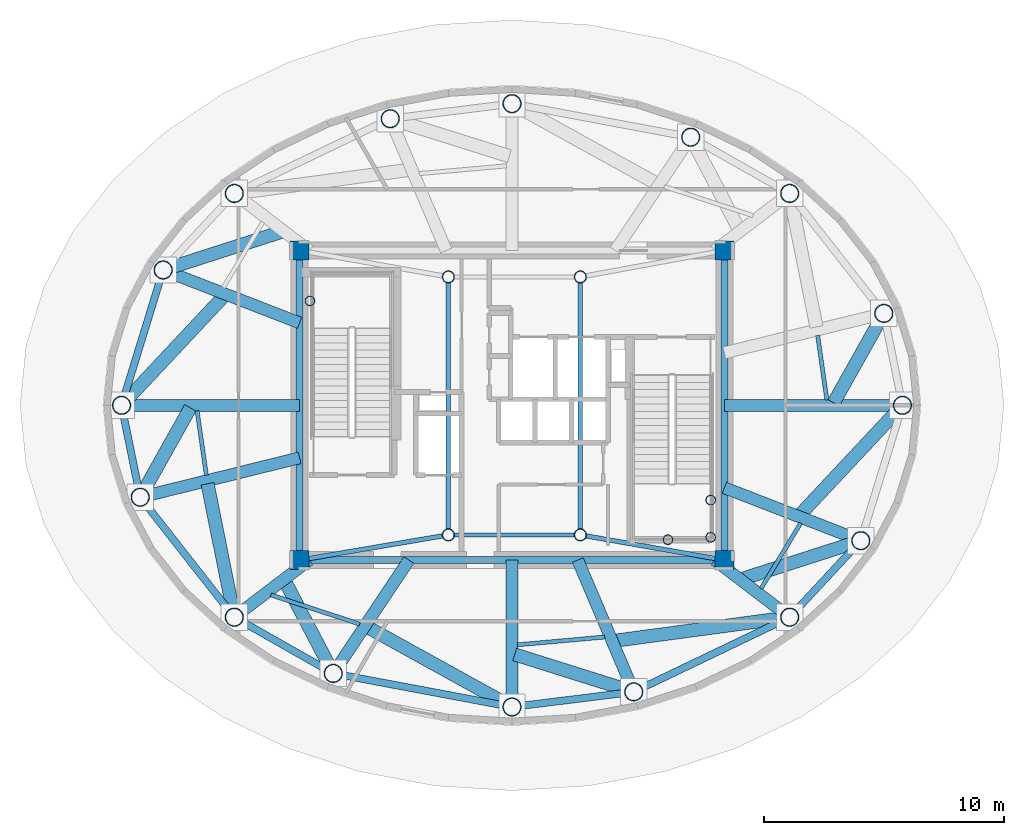
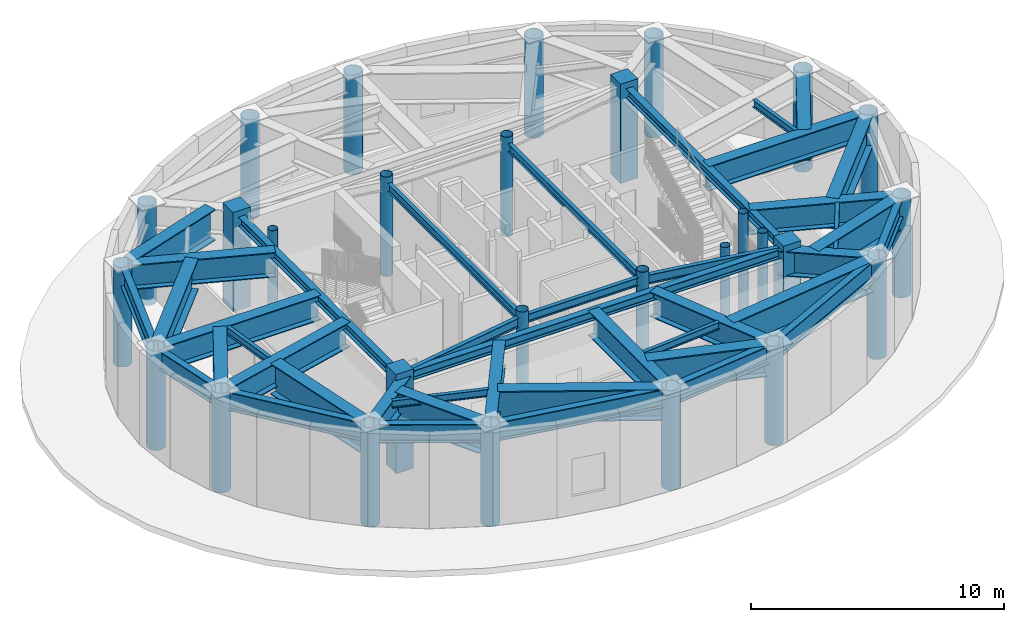
# One storey, part 1 of 11: 42 beams, 28 columns.
"""IFC4 building model written with IfcOpenShell, lengths in metres."""

from ifc_helpers import new_model, si_unit, direction, frame, origin, origin_2d, place, context, subcontext, project, spatial, rectangle, hollow_circle, i_section, extrude, material, material_profile, profile_set, type_object, element, save


model = new_model("IFC4")

# Units and contexts
model_context = context("Model", 3, precision=1e-05, world=origin(), true_north=direction((0.0, 1.0)))
body_context = subcontext(model_context, "Body", "Model", "MODEL_VIEW")
ifc_project = project(units=[si_unit("LENGTHUNIT", "METRE"), si_unit("AREAUNIT", "SQUARE_METRE"), si_unit("VOLUMEUNIT", "CUBIC_METRE"), si_unit("PLANEANGLEUNIT", "RADIAN"), si_unit("MASSUNIT", "GRAM", prefix="KILO")], contexts=[model_context])

# Site, building, storey
site_placement = place(None, origin())
site = spatial("IfcSite", under=ifc_project, at=site_placement, CompositionType="ELEMENT")
building_placement = place(site_placement, origin())
building = spatial("IfcBuilding", under=site, at=building_placement, Name="Linh Dai School and Residence Tower", CompositionType="ELEMENT")
storey_placement = place(building_placement, frame((0.0, 0.0, 363.60009765625)))
storey = spatial("IfcBuildingStorey", under=building, at=storey_placement, Name="L90", CompositionType="ELEMENT", Elevation=363.60009765625)

# Columns
ifc_material_1 = material(Name="Concrete B45 (C35/45)", Category="concrete")
ifc_material_profile_1 = material_profile(ifc_material_1, rectangle(XDim=0.800048828125, YDim=0.800048828125, at=origin_2d()), Name="RC 800x800")
ifc_profile_set_1 = profile_set([ifc_material_profile_1], Name="Concrete B45 (C35/45)")
column_type_1 = type_object("IfcColumnType", Name="COL-CC5", PredefinedType="COLUMN", material=ifc_profile_set_1)
for number, where, z_axis, x_axis, name in (
    (1, (27.14990234375, 20.550048828125, 0.0), (0.0, 0.0, 1.0), (1.0, 0.0, 0.0), "L90 Core Corner Pier CC1"),
    (2, (44.85009765625, 20.550048828125, 0.0), (0.0, 0.0, 1.0), (1.0, 0.0, 0.0), "L90 Core Corner Pier CC2"),
    (3, (44.85009765625, 33.449951171875, 0.0), (0.0, 0.0, 1.0), (1.0, 0.0, 0.0), "L90 Core Corner Pier CC3"),
    (4, (27.14990234375, 33.449951171875, 0.0), (0.0, 0.0, 1.0), (1.0, 0.0, 0.0), "L90 Core Corner Pier CC4"),
):
    element("IfcColumn", number, at=place(storey_placement, frame(where, z_axis=z_axis, x_axis=x_axis)), inside=storey, type_object=column_type_1, Name=name, PredefinedType="COLUMN", context=body_context, shape_type="SweptSolid", body=[
        extrude(rectangle(XDim=0.800048828125, YDim=0.800048828125, at=origin_2d()), origin(), (0.0, 0.0, 1.0), 4.7998046875),
    ])
ifc_material_2 = material(Name="Structural Steel S355JR", Category="steel")
ifc_material_profile_2 = material_profile(ifc_material_2, hollow_circle(Radius=0.203125, WallThickness=0.01611328125, at=origin_2d()), Name="CHS 406.4x16")
ifc_profile_set_2 = profile_set([ifc_material_profile_2], Name="Structural Steel S355JR")
column_type_2 = type_object("IfcColumnType", Name="COL-EC", PredefinedType="COLUMN", material=ifc_profile_set_2)
for number, where, z_axis, x_axis, name in (
    (5, (27.580078125, 31.35009765625, 0.0), (0.0, 0.0, 1.0), (1.0, 0.0, 0.0), "L90 Stair Shaft Landing Support Pier ST1NW"),
    (6, (44.280029296875, 21.5, 0.0), (0.0, 0.0, 1.0), (1.0, 0.0, 0.0), "L90 Stair Shaft Landing Support Pier ST2SE"),
    (7, (44.280029296875, 23.050048828125, 0.0), (0.0, 0.0, 1.0), (1.0, 0.0, 0.0), "L90 Stair Shaft Landing Support Pier ST2NE"),
    (8, (42.5, 21.39990234375, 0.0), (0.0, 0.0, 1.0), (1.0, 0.0, 0.0), "L90 Stair Shaft Landing Support Pier ST2MS"),
):
    element("IfcColumn", number, at=place(storey_placement, frame(where, z_axis=z_axis, x_axis=x_axis)), inside=storey, type_object=column_type_2, Name=name, PredefinedType="COLUMN", context=body_context, shape_type="SweptSolid", body=[
        extrude(hollow_circle(Radius=0.203125, WallThickness=0.01611328125, at=origin_2d()), origin(), (0.0, 0.0, 1.0), 4.7998046875),
    ])
ifc_material_profile_3 = material_profile(ifc_material_2, hollow_circle(Radius=0.381103515625, WallThickness=0.02490234375, at=origin_2d()), Name="CHS 762x25")
ifc_profile_set_3 = profile_set([ifc_material_profile_3], Name="Structural Steel S355JR")
column_type_3 = type_object("IfcColumnType", Name="COL-MC8", PredefinedType="COLUMN", material=ifc_profile_set_3)
for number, where, z_axis, x_axis, name in (
    (9, (52.26904296875, 27.0, -0.300048828125), (0.0, 0.0, 1.0), (1.0, 0.0, 0.0), "L90 Perimeter CFT Mega-Column MC01"),
    (10, (51.492919921875, 30.82958984375, -0.300048828125), (0.0, 0.0, 1.0), (1.0, 0.0, 0.0), "L90 Perimeter CFT Mega-Column MC02"),
    (11, (47.5703125, 35.828857421875, -0.300048828125), (0.0, 0.0, 1.0), (1.0, 0.0, 0.0), "L90 Perimeter CFT Mega-Column MC03"),
    (12, (43.447265625, 38.17138671875, -0.300048828125), (0.0, 0.0, 1.0), (1.0, 0.0, 0.0), "L90 Perimeter CFT Mega-Column MC04"),
    (13, (36.0, 39.569091796875, -0.300048828125), (0.0, 0.0, 1.0), (1.0, 0.0, 0.0), "L90 Perimeter CFT Mega-Column MC05"),
    (14, (30.9267578125, 38.940673828125, -0.300048828125), (0.0, 0.0, 1.0), (1.0, 0.0, 0.0), "L90 Perimeter CFT Mega-Column MC06"),
    (15, (24.4296875, 35.828857421875, -0.300048828125), (0.0, 0.0, 1.0), (1.0, 0.0, 0.0), "L90 Perimeter CFT Mega-Column MC07"),
    (16, (21.46533203125, 32.63916015625, -0.300048828125), (0.0, 0.0, 1.0), (1.0, 0.0, 0.0), "L90 Perimeter CFT Mega-Column MC08"),
    (17, (19.73095703125, 27.0, -0.300048828125), (0.0, 0.0, 1.0), (1.0, 0.0, 0.0), "L90 Perimeter CFT Mega-Column MC09"),
    (18, (20.507080078125, 23.17041015625, -0.300048828125), (0.0, 0.0, 1.0), (1.0, 0.0, 0.0), "L90 Perimeter CFT Mega-Column MC10"),
    (19, (24.4296875, 18.171142578125, -0.300048828125), (0.0, 0.0, 1.0), (1.0, 0.0, 0.0), "L90 Perimeter CFT Mega-Column MC11"),
    (20, (28.552734375, 15.82861328125, -0.300048828125), (0.0, 0.0, 1.0), (1.0, 0.0, 0.0), "L90 Perimeter CFT Mega-Column MC12"),
    (21, (36.0, 14.430908203125, -0.300048828125), (0.0, 0.0, 1.0), (1.0, 0.0, 0.0), "L90 Perimeter CFT Mega-Column MC13"),
    (22, (41.0732421875, 15.059326171875, -0.300048828125), (0.0, 0.0, 1.0), (1.0, 0.0, 0.0), "L90 Perimeter CFT Mega-Column MC14"),
    (23, (47.5703125, 18.171142578125, -0.300048828125), (0.0, 0.0, 1.0), (1.0, 0.0, 0.0), "L90 Perimeter CFT Mega-Column MC15"),
    (24, (50.53466796875, 21.36083984375, -0.300048828125), (0.0, 0.0, 1.0), (1.0, 0.0, 0.0), "L90 Perimeter CFT Mega-Column MC16"),
):
    element("IfcColumn", number, at=place(storey_placement, frame(where, z_axis=z_axis, x_axis=x_axis)), inside=storey, type_object=column_type_3, Name=name, PredefinedType="COLUMN", context=body_context, shape_type="SweptSolid", body=[
        extrude(hollow_circle(Radius=0.381103515625, WallThickness=0.02490234375, at=origin_2d()), origin(), (0.0, 0.0, 1.0), 4.800048828125),
    ])
ifc_material_profile_4 = material_profile(ifc_material_2, hollow_circle(Radius=0.25390625, WallThickness=0.02001953125, at=origin_2d()), Name="CHS 508x20")
ifc_profile_set_4 = profile_set([ifc_material_profile_4], Name="Structural Steel S355JR")
column_type_4 = type_object("IfcColumnType", Name="COL-MCP", PredefinedType="COLUMN", material=ifc_profile_set_4)
for number, where, z_axis, x_axis, name in (
    (25, (33.35009765625, 21.60009765625, 0.0), (0.0, 0.0, 1.0), (1.0, 0.0, 0.0), "L90 Core Mast Support Pier MCP1"),
    (26, (38.85009765625, 21.60009765625, 0.0), (0.0, 0.0, 1.0), (1.0, 0.0, 0.0), "L90 Core Mast Support Pier MCP2"),
    (27, (38.85009765625, 32.35009765625, 0.0), (0.0, 0.0, 1.0), (1.0, 0.0, 0.0), "L90 Core Mast Support Pier MCP3"),
    (28, (33.35009765625, 32.35009765625, 0.0), (0.0, 0.0, 1.0), (1.0, 0.0, 0.0), "L90 Core Mast Support Pier MCP4"),
):
    element("IfcColumn", number, at=place(storey_placement, frame(where, z_axis=z_axis, x_axis=x_axis)), inside=storey, type_object=column_type_4, Name=name, PredefinedType="COLUMN", context=body_context, shape_type="SweptSolid", body=[
        extrude(hollow_circle(Radius=0.25390625, WallThickness=0.02001953125, at=origin_2d()), origin(), (0.0, 0.0, 1.0), 4.7998046875),
    ])

# Beams
ifc_material_profile_5 = material_profile(ifc_material_2, i_section(OverallWidth=0.300048828125, OverallDepth=0.449951171875, WebThickness=0.013916015625, FlangeThickness=0.02587890625, FilletRadius=0.027099609375, at=origin_2d()), Name="HEB 450")
ifc_profile_set_5 = profile_set([ifc_material_profile_5], Name="Structural Steel S355JR")
beam_type_1 = type_object("IfcBeamType", Name="BM-RG45", PredefinedType="BEAM", material=ifc_profile_set_5)
beam_1_placement = place(storey_placement, frame((27.52001953125, 20.550048828125, 4.27490234375), z_axis=(1.0, 0.0, 0.0), x_axis=(0.0, 1.0, 0.0)))
element("IfcBeam", 29, at=beam_1_placement, inside=storey, type_object=beam_type_1, Name="L90 Core Perimeter Coupling Girder 1", PredefinedType="BEAM", context=body_context, shape_type="SweptSolid", body=[
    extrude(i_section(OverallWidth=0.300048828125, OverallDepth=0.449951171875, WebThickness=0.013916015625, FlangeThickness=0.02587890625, FilletRadius=0.027099609375, at=origin_2d()), origin(), (0.0, 0.0, 1.0), 16.9599609375),
])
for number, where, z_axis, x_axis, name in (
    (30, (44.85009765625, 20.919921875, 4.27490234375), (0.0, 1.0, 0.0), (-1.0, 0.0, 0.0), "L90 Core Perimeter Coupling Girder 2"),
    (31, (27.14990234375, 33.080078125, 4.27490234375), (0.0, -1.0, 0.0), (1.0, 0.0, 0.0), "L90 Core Perimeter Coupling Girder 4"),
):
    element("IfcBeam", number, at=place(storey_placement, frame(where, z_axis=z_axis, x_axis=x_axis)), inside=storey, type_object=beam_type_1, Name=name, PredefinedType="BEAM", context=body_context, shape_type="SweptSolid", body=[
        extrude(i_section(OverallWidth=0.300048828125, OverallDepth=0.449951171875, WebThickness=0.013916015625, FlangeThickness=0.02587890625, FilletRadius=0.027099609375, at=origin_2d()), origin(), (0.0, 0.0, 1.0), 12.16015625),
    ])
ifc_material_profile_6 = material_profile(ifc_material_2, i_section(OverallWidth=0.300048828125, OverallDepth=0.89990234375, WebThickness=0.0185546875, FlangeThickness=0.034912109375, FilletRadius=0.030029296875, at=origin_2d()), Name="HEB 900")
ifc_profile_set_6 = profile_set([ifc_material_profile_6], Name="Structural Steel S355JR")
beam_type_2 = type_object("IfcBeamType", Name="BM-RG9", PredefinedType="BEAM", material=ifc_profile_set_6)
beam_2_placement = place(storey_placement, frame((21.3623046875, 32.3037109375, 4.0498046875), z_axis=(-0.293976930381, -0.9558125153, 0.0), x_axis=(0.9558125153, -0.293976930381, 0.0)))
element("IfcBeam", 32, at=beam_2_placement, inside=storey, type_object=beam_type_2, Name="L90 Perimeter Elliptical Ring Beam 08", PredefinedType="BEAM", context=body_context, shape_type="SweptSolid", body=[
    extrude(i_section(OverallWidth=0.300048828125, OverallDepth=0.89990234375, WebThickness=0.0185546875, FlangeThickness=0.034912109375, FilletRadius=0.030029296875, at=origin_2d()), origin(), (0.0, 0.0, 1.0), 5.197998046875),
])
beam_3_placement = place(storey_placement, frame((19.80078125, 26.656005859375, 4.0498046875), z_axis=(0.198634746425, -0.980073587805, 0.0), x_axis=(0.980073587805, 0.198634746425, 0.0)))
element("IfcBeam", 33, at=beam_3_placement, inside=storey, type_object=beam_type_2, Name="L90 Perimeter Elliptical Ring Beam 09", PredefinedType="BEAM", context=body_context, shape_type="SweptSolid", body=[
    extrude(i_section(OverallWidth=0.300048828125, OverallDepth=0.89990234375, WebThickness=0.0185546875, FlangeThickness=0.034912109375, FilletRadius=0.030029296875, at=origin_2d()), origin(), (0.0, 0.0, 1.0), 3.20556640625),
])
beam_4_placement = place(storey_placement, frame((20.723876953125, 22.894287109375, 4.0498046875), z_axis=(0.617266297367, -0.786754293369, 0.0), x_axis=(0.786754293369, 0.617266297367, 0.0)))
element("IfcBeam", 34, at=beam_4_placement, inside=storey, type_object=beam_type_2, Name="L90 Perimeter Elliptical Ring Beam 10", PredefinedType="BEAM", context=body_context, shape_type="SweptSolid", body=[
    extrude(i_section(OverallWidth=0.300048828125, OverallDepth=0.89990234375, WebThickness=0.0185546875, FlangeThickness=0.034912109375, FilletRadius=0.030029296875, at=origin_2d()), origin(), (0.0, 0.0, 1.0), 5.65234375),
])
beam_5_placement = place(storey_placement, frame((24.73486328125, 17.997802734375, 4.0498046875), z_axis=(0.869456557393, -0.49400940761, 0.0), x_axis=(0.49400940761, 0.869456557393, 0.0)))
element("IfcBeam", 35, at=beam_5_placement, inside=storey, type_object=beam_type_2, Name="L90 Perimeter Elliptical Ring Beam 11", PredefinedType="BEAM", context=body_context, shape_type="SweptSolid", body=[
    extrude(i_section(OverallWidth=0.300048828125, OverallDepth=0.89990234375, WebThickness=0.0185546875, FlangeThickness=0.034912109375, FilletRadius=0.030029296875, at=origin_2d()), origin(), (0.0, 0.0, 1.0), 4.0400390625),
])
beam_6_placement = place(storey_placement, frame((28.897705078125, 15.763916015625, 4.0498046875), z_axis=(0.982844035526, -0.184438612635, 0.0), x_axis=(0.184438612635, 0.982844035526, 0.0)))
element("IfcBeam", 36, at=beam_6_placement, inside=storey, type_object=beam_type_2, Name="L90 Perimeter Elliptical Ring Beam 12", PredefinedType="BEAM", context=body_context, shape_type="SweptSolid", body=[
    extrude(i_section(OverallWidth=0.300048828125, OverallDepth=0.89990234375, WebThickness=0.0185546875, FlangeThickness=0.034912109375, FilletRadius=0.030029296875, at=origin_2d()), origin(), (0.0, 0.0, 1.0), 6.875244140625),
])
beam_7_placement = place(storey_placement, frame((36.348388671875, 14.47412109375, 4.0498046875), z_axis=(0.992411863952, 0.12295809159, 0.0), x_axis=(-0.12295809159, 0.992411863952, 0.0)))
element("IfcBeam", 37, at=beam_7_placement, inside=storey, type_object=beam_type_2, Name="L90 Perimeter Elliptical Ring Beam 13", PredefinedType="BEAM", context=body_context, shape_type="SweptSolid", body=[
    extrude(i_section(OverallWidth=0.300048828125, OverallDepth=0.89990234375, WebThickness=0.0185546875, FlangeThickness=0.034912109375, FilletRadius=0.030029296875, at=origin_2d()), origin(), (0.0, 0.0, 1.0), 4.409912109375),
])
beam_8_placement = place(storey_placement, frame((41.3896484375, 15.2109375, 4.0498046875), z_axis=(0.901897708522, 0.431949676887, 0.0), x_axis=(-0.431949676887, 0.901897708522, 0.0)))
element("IfcBeam", 38, at=beam_8_placement, inside=storey, type_object=beam_type_2, Name="L90 Perimeter Elliptical Ring Beam 14", PredefinedType="BEAM", context=body_context, shape_type="SweptSolid", body=[
    extrude(i_section(OverallWidth=0.300048828125, OverallDepth=0.89990234375, WebThickness=0.0185546875, FlangeThickness=0.034912109375, FilletRadius=0.030029296875, at=origin_2d()), origin(), (0.0, 0.0, 1.0), 6.502197265625),
])
beam_9_placement = place(storey_placement, frame((47.809326171875, 18.42822265625, 4.0498046875), z_axis=(0.680730509139, 0.732533940461, 0.0), x_axis=(-0.732533940461, 0.680730509139, 0.0)))
element("IfcBeam", 39, at=beam_9_placement, inside=storey, type_object=beam_type_2, Name="L90 Perimeter Elliptical Ring Beam 15", PredefinedType="BEAM", context=body_context, shape_type="SweptSolid", body=[
    extrude(i_section(OverallWidth=0.300048828125, OverallDepth=0.89990234375, WebThickness=0.0185546875, FlangeThickness=0.034912109375, FilletRadius=0.030029296875, at=origin_2d()), origin(), (0.0, 0.0, 1.0), 3.65234375),
])
ifc_material_profile_7 = material_profile(ifc_material_2, i_section(OverallWidth=0.169921875, OverallDepth=0.360107421875, WebThickness=0.008056640625, FlangeThickness=0.0126953125, FilletRadius=0.01806640625, at=origin_2d()), Name="IPE 360")
ifc_profile_set_7 = profile_set([ifc_material_profile_7], Name="Structural Steel S355JR")
beam_type_3 = type_object("IfcBeamType", Name="BM-SB36", PredefinedType="BEAM", material=ifc_profile_set_7)
for number, where, z_axis, x_axis, name in (
    (40, (49.120361328125, 27.227783203125, 4.31982421875), (-0.141875053484, 0.989884573675, 0.0), (-0.989884573675, -0.141875053484, 0.0), "L90 Secondary Circumferential Floor Beam 01"),
    (41, (22.879638671875, 26.772216796875, 4.31982421875), (0.141875053484, -0.989884573675, 0.0), (0.989884573675, 0.141875053484, 0.0), "L90 Secondary Circumferential Floor Beam 05"),
):
    element("IfcBeam", number, at=place(storey_placement, frame(where, z_axis=z_axis, x_axis=x_axis)), inside=storey, type_object=beam_type_3, Name=name, PredefinedType="BEAM", context=body_context, shape_type="SweptSolid", body=[
        extrude(i_section(OverallWidth=0.169921875, OverallDepth=0.360107421875, WebThickness=0.008056640625, FlangeThickness=0.0126953125, FilletRadius=0.01806640625, at=origin_2d()), origin(), (0.0, 0.0, 1.0), 2.7119140625),
    ])
beam_10_placement = place(storey_placement, frame((25.95751953125, 19.0986328125, 4.31982421875), z_axis=(0.950029092369, -0.312161374377, 0.0), x_axis=(0.312161374377, 0.950029092369, 0.0)))
element("IfcBeam", 42, at=beam_10_placement, inside=storey, type_object=beam_type_3, Name="L90 Secondary Circumferential Floor Beam 06", PredefinedType="BEAM", context=body_context, shape_type="SweptSolid", body=[
    extrude(i_section(OverallWidth=0.169921875, OverallDepth=0.360107421875, WebThickness=0.008056640625, FlangeThickness=0.0126953125, FilletRadius=0.01806640625, at=origin_2d()), origin(), (0.0, 0.0, 1.0), 3.893310546875),
])
beam_11_placement = place(storey_placement, frame((36.22900390625, 17.021484375, 4.31982421875), z_axis=(0.996064114444, 0.08863565827, 0.0), x_axis=(-0.08863565827, 0.996064114444, 0.0)))
element("IfcBeam", 43, at=beam_11_placement, inside=storey, type_object=beam_type_3, Name="L90 Secondary Circumferential Floor Beam 07", PredefinedType="BEAM", context=body_context, shape_type="SweptSolid", body=[
    extrude(i_section(OverallWidth=0.169921875, OverallDepth=0.360107421875, WebThickness=0.008056640625, FlangeThickness=0.0126953125, FilletRadius=0.01806640625, at=origin_2d()), origin(), (0.0, 0.0, 1.0), 3.649658203125),
])
beam_12_placement = place(storey_placement, frame((46.380126953125, 19.3671875, 4.31982421875), z_axis=(0.517740631974, 0.855537630969, 0.0), x_axis=(-0.855537630969, 0.517740631974, 0.0)))
element("IfcBeam", 44, at=beam_12_placement, inside=storey, type_object=beam_type_3, Name="L90 Secondary Circumferential Floor Beam 08", PredefinedType="BEAM", context=body_context, shape_type="SweptSolid", body=[
    extrude(i_section(OverallWidth=0.169921875, OverallDepth=0.360107421875, WebThickness=0.008056640625, FlangeThickness=0.0126953125, FilletRadius=0.01806640625, at=origin_2d()), origin(), (0.0, 0.0, 1.0), 3.182861328125),
])
ifc_material_profile_8 = material_profile(ifc_material_2, i_section(OverallWidth=0.179931640625, OverallDepth=0.39990234375, WebThickness=0.008544921875, FlangeThickness=0.013427734375, FilletRadius=0.02099609375, at=origin_2d()), Name="IPE 400")
ifc_profile_set_8 = profile_set([ifc_material_profile_8], Name="Structural Steel S355JR")
beam_type_4 = type_object("IfcBeamType", Name="BM-SB40", PredefinedType="BEAM", material=ifc_profile_set_8)
beam_13_placement = place(storey_placement, frame((33.573974609375, 21.60009765625, 4.2998046875), z_axis=(1.0, 0.0, 0.0), x_axis=(0.0, 1.0, 0.0)))
element("IfcBeam", 45, at=beam_13_placement, inside=storey, type_object=beam_type_4, Name="L90 Core Mast Pier Tie Beam 1", PredefinedType="BEAM", context=body_context, shape_type="SweptSolid", body=[
    extrude(i_section(OverallWidth=0.179931640625, OverallDepth=0.39990234375, WebThickness=0.008544921875, FlangeThickness=0.013427734375, FilletRadius=0.02099609375, at=origin_2d()), origin(), (0.0, 0.0, 1.0), 5.052001953125),
])
for number, where, z_axis, x_axis, name in (
    (46, (38.85009765625, 21.823974609375, 4.2998046875), (0.0, 1.0, 0.0), (-1.0, 0.0, 0.0), "L90 Core Mast Pier Tie Beam 2"),
    (47, (33.35009765625, 32.1259765625, 4.2998046875), (0.0, -1.0, 0.0), (1.0, 0.0, 0.0), "L90 Core Mast Pier Tie Beam 4"),
):
    element("IfcBeam", number, at=place(storey_placement, frame(where, z_axis=z_axis, x_axis=x_axis)), inside=storey, type_object=beam_type_4, Name=name, PredefinedType="BEAM", context=body_context, shape_type="SweptSolid", body=[
        extrude(i_section(OverallWidth=0.179931640625, OverallDepth=0.39990234375, WebThickness=0.008544921875, FlangeThickness=0.013427734375, FilletRadius=0.02099609375, at=origin_2d()), origin(), (0.0, 0.0, 1.0), 10.302001953125),
    ])
ifc_material_profile_9 = material_profile(ifc_material_2, i_section(OverallWidth=0.18994140625, OverallDepth=0.449951171875, WebThickness=0.009521484375, FlangeThickness=0.0146484375, FilletRadius=0.02099609375, at=origin_2d()), Name="IPE 450")
ifc_profile_set_9 = profile_set([ifc_material_profile_9], Name="Structural Steel S355JR")
beam_type_5 = type_object("IfcBeamType", Name="BM-SB45", PredefinedType="BEAM", material=ifc_profile_set_9)
beam_14_placement = place(storey_placement, frame((27.514892578125, 20.61181640625, 4.27490234375), z_axis=(0.985964168355, 0.166957056513, 0.0), x_axis=(-0.166957056513, 0.985964168355, 0.0)))
element("IfcBeam", 48, at=beam_14_placement, inside=storey, type_object=beam_type_5, Name="L90 Core Corner-to-Mast Pier Beam 1", PredefinedType="BEAM", context=body_context, shape_type="SweptSolid", body=[
    extrude(i_section(OverallWidth=0.18994140625, OverallDepth=0.449951171875, WebThickness=0.009521484375, FlangeThickness=0.0146484375, FilletRadius=0.02099609375, at=origin_2d()), origin(), (0.0, 0.0, 1.0), 5.694091796875),
])
beam_15_placement = place(storey_placement, frame((44.485595703125, 20.61376953125, 4.27490234375), z_axis=(-0.985034237405, 0.172358786085, 0.0), x_axis=(-0.172358786085, -0.985034237405, 0.0)))
element("IfcBeam", 49, at=beam_15_placement, inside=storey, type_object=beam_type_5, Name="L90 Core Corner-to-Mast Pier Beam 2", PredefinedType="BEAM", context=body_context, shape_type="SweptSolid", body=[
    extrude(i_section(OverallWidth=0.18994140625, OverallDepth=0.449951171875, WebThickness=0.009521484375, FlangeThickness=0.0146484375, FilletRadius=0.02099609375, at=origin_2d()), origin(), (0.0, 0.0, 1.0), 5.497314453125),
])
ifc_material_profile_10 = material_profile(ifc_material_2, i_section(OverallWidth=0.5, OverallDepth=1.199951171875, WebThickness=0.02392578125, FlangeThickness=0.044921875, at=origin_2d()), Name="PG 1200x500x24x45")
ifc_profile_set_10 = profile_set([ifc_material_profile_10], Name="Structural Steel S355JR")
beam_type_6 = type_object("IfcBeamType", Name="BM-TG12", PredefinedType="BEAM", material=ifc_profile_set_10)
beam_16_placement = place(storey_placement, frame((44.85009765625, 27.0, 3.89990234375), z_axis=(1.0, 0.0, 0.0), x_axis=(0.0, 1.0, 0.0)))
element("IfcBeam", 50, at=beam_16_placement, inside=storey, type_object=beam_type_6, Name="L90 Radial Setback Transfer Girder 01", PredefinedType="BEAM", context=body_context, shape_type="SweptSolid", body=[
    extrude(i_section(OverallWidth=0.5, OverallDepth=1.199951171875, WebThickness=0.02392578125, FlangeThickness=0.044921875, at=origin_2d()), origin(), (0.0, 0.0, 1.0), 7.06787109375),
])
beam_17_placement = place(storey_placement, frame((27.14990234375, 30.43359375, 3.89990234375), z_axis=(-0.932282666764, 0.361730603146, 0.0), x_axis=(-0.361730603146, -0.932282666764, 0.0)))
element("IfcBeam", 51, at=beam_17_placement, inside=storey, type_object=beam_type_6, Name="L90 Radial Setback Transfer Girder 08", PredefinedType="BEAM", context=body_context, shape_type="SweptSolid", body=[
    extrude(i_section(OverallWidth=0.5, OverallDepth=1.199951171875, WebThickness=0.02392578125, FlangeThickness=0.044921875, at=origin_2d()), origin(), (0.0, 0.0, 1.0), 5.746337890625),
])
beam_18_placement = place(storey_placement, frame((27.14990234375, 27.0, 3.89990234375), z_axis=(-1.0, 0.0, 0.0), x_axis=(0.0, -1.0, 0.0)))
element("IfcBeam", 52, at=beam_18_placement, inside=storey, type_object=beam_type_6, Name="L90 Radial Setback Transfer Girder 09", PredefinedType="BEAM", context=body_context, shape_type="SweptSolid", body=[
    extrude(i_section(OverallWidth=0.5, OverallDepth=1.199951171875, WebThickness=0.02392578125, FlangeThickness=0.044921875, at=origin_2d()), origin(), (0.0, 0.0, 1.0), 7.06787109375),
])
beam_19_placement = place(storey_placement, frame((27.14990234375, 24.8125, 3.89990234375), z_axis=(-0.970778467558, -0.239977430035, 0.0), x_axis=(0.239977430035, -0.970778467558, 0.0)))
element("IfcBeam", 53, at=beam_19_placement, inside=storey, type_object=beam_type_6, Name="L90 Radial Setback Transfer Girder 10", PredefinedType="BEAM", context=body_context, shape_type="SweptSolid", body=[
    extrude(i_section(OverallWidth=0.5, OverallDepth=1.199951171875, WebThickness=0.02392578125, FlangeThickness=0.044921875, at=origin_2d()), origin(), (0.0, 0.0, 1.0), 6.49169921875),
])
beam_20_placement = place(storey_placement, frame((27.547119140625, 20.550048828125, 3.89990234375), z_axis=(-0.794966866572, -0.606652850527, 0.0), x_axis=(0.606652850527, -0.794966866572, 0.0)))
element("IfcBeam", 54, at=beam_20_placement, inside=storey, type_object=beam_type_6, Name="L90 Radial Setback Transfer Girder 11", PredefinedType="BEAM", context=body_context, shape_type="SweptSolid", body=[
    extrude(i_section(OverallWidth=0.5, OverallDepth=1.199951171875, WebThickness=0.02392578125, FlangeThickness=0.044921875, at=origin_2d()), origin(), (0.0, 0.0, 1.0), 3.570556640625),
])
beam_21_placement = place(storey_placement, frame((31.7001953125, 20.550048828125, 3.89990234375), z_axis=(-0.554657861137, -0.832078516174, 0.0), x_axis=(0.832078516174, -0.554657861137, 0.0)))
element("IfcBeam", 55, at=beam_21_placement, inside=storey, type_object=beam_type_6, Name="L90 Radial Setback Transfer Girder 12", PredefinedType="BEAM", context=body_context, shape_type="SweptSolid", body=[
    extrude(i_section(OverallWidth=0.5, OverallDepth=1.199951171875, WebThickness=0.02392578125, FlangeThickness=0.044921875, at=origin_2d()), origin(), (0.0, 0.0, 1.0), 5.3232421875),
])
beam_22_placement = place(storey_placement, frame((36.0, 20.550048828125, 3.89990234375), z_axis=(0.0, -1.0, 0.0), x_axis=(1.0, 0.0, 0.0)))
element("IfcBeam", 56, at=beam_22_placement, inside=storey, type_object=beam_type_6, Name="L90 Radial Setback Transfer Girder 13", PredefinedType="BEAM", context=body_context, shape_type="SweptSolid", body=[
    extrude(i_section(OverallWidth=0.5, OverallDepth=1.199951171875, WebThickness=0.02392578125, FlangeThickness=0.044921875, at=origin_2d()), origin(), (0.0, 0.0, 1.0), 5.76806640625),
])
beam_23_placement = place(storey_placement, frame((38.740478515625, 20.550048828125, 3.89990234375), z_axis=(0.391046719568, -0.920370829131, 0.0), x_axis=(0.920370829131, 0.391046719568, 0.0)))
element("IfcBeam", 57, at=beam_23_placement, inside=storey, type_object=beam_type_6, Name="L90 Radial Setback Transfer Girder 14", PredefinedType="BEAM", context=body_context, shape_type="SweptSolid", body=[
    extrude(i_section(OverallWidth=0.5, OverallDepth=1.199951171875, WebThickness=0.02392578125, FlangeThickness=0.044921875, at=origin_2d()), origin(), (0.0, 0.0, 1.0), 5.614501953125),
])
beam_24_placement = place(storey_placement, frame((44.452880859375, 20.550048828125, 3.89990234375), z_axis=(0.794966866572, -0.606652850527, 0.0), x_axis=(0.606652850527, 0.794966866572, 0.0)))
element("IfcBeam", 58, at=beam_24_placement, inside=storey, type_object=beam_type_6, Name="L90 Radial Setback Transfer Girder 15", PredefinedType="BEAM", context=body_context, shape_type="SweptSolid", body=[
    extrude(i_section(OverallWidth=0.5, OverallDepth=1.199951171875, WebThickness=0.02392578125, FlangeThickness=0.044921875, at=origin_2d()), origin(), (0.0, 0.0, 1.0), 3.570556640625),
])
beam_25_placement = place(storey_placement, frame((44.85009765625, 23.56640625, 3.89990234375), z_axis=(0.932282666764, -0.361730603146, 0.0), x_axis=(0.361730603146, 0.932282666764, 0.0)))
element("IfcBeam", 59, at=beam_25_placement, inside=storey, type_object=beam_type_6, Name="L90 Radial Setback Transfer Girder 16", PredefinedType="BEAM", context=body_context, shape_type="SweptSolid", body=[
    extrude(i_section(OverallWidth=0.5, OverallDepth=1.199951171875, WebThickness=0.02392578125, FlangeThickness=0.044921875, at=origin_2d()), origin(), (0.0, 0.0, 1.0), 5.746337890625),
])
ifc_material_profile_11 = material_profile(ifc_material_2, i_section(OverallWidth=0.550048828125, OverallDepth=1.5, WebThickness=0.028076171875, FlangeThickness=0.050048828125, at=origin_2d()), Name="PG 1500x550x28x50")
ifc_profile_set_11 = profile_set([ifc_material_profile_11], Name="Structural Steel S355JR")
beam_type_7 = type_object("IfcBeamType", Name="BM-TG15", PredefinedType="BEAM", material=ifc_profile_set_11)
beam_26_placement = place(storey_placement, frame((49.40380859375, 27.104736328125, 3.75), z_axis=(0.489140037409, 0.872205264719, 0.0), x_axis=(-0.872205264719, 0.489140037409, 0.0)))
element("IfcBeam", 60, at=beam_26_placement, inside=storey, type_object=beam_type_7, Name="L90 Setback Diaphragm Transfer Girder 01", PredefinedType="BEAM", context=body_context, shape_type="SweptSolid", body=[
    extrude(i_section(OverallWidth=0.550048828125, OverallDepth=1.5, WebThickness=0.028076171875, FlangeThickness=0.050048828125, at=origin_2d()), origin(), (0.0, 0.0, 1.0), 3.919677734375),
])
beam_27_placement = place(storey_placement, frame((26.390869140625, 34.226318359375, 3.75), z_axis=(-0.951803975611, -0.306707013305, 0.0), x_axis=(0.306707013305, -0.951803975611, 0.0)))
element("IfcBeam", 61, at=beam_27_placement, inside=storey, type_object=beam_type_7, Name="L90 Setback Diaphragm Transfer Girder 07", PredefinedType="BEAM", context=body_context, shape_type="SweptSolid", body=[
    extrude(i_section(OverallWidth=0.550048828125, OverallDepth=1.5, WebThickness=0.028076171875, FlangeThickness=0.050048828125, at=origin_2d()), origin(), (0.0, 0.0, 1.0), 4.82373046875),
])
beam_28_placement = place(storey_placement, frame((23.993408203125, 31.550048828125, 3.75), z_axis=(-0.683659503553, -0.729801125788, 0.0), x_axis=(0.729801125788, -0.683659503553, 0.0)))
element("IfcBeam", 62, at=beam_28_placement, inside=storey, type_object=beam_type_7, Name="L90 Setback Diaphragm Transfer Girder 08", PredefinedType="BEAM", context=body_context, shape_type="SweptSolid", body=[
    extrude(i_section(OverallWidth=0.550048828125, OverallDepth=1.5, WebThickness=0.028076171875, FlangeThickness=0.050048828125, at=origin_2d()), origin(), (0.0, 0.0, 1.0), 5.8837890625),
])
beam_29_placement = place(storey_placement, frame((22.59619140625, 26.895263671875, 3.75), z_axis=(-0.489140037409, -0.872205264719, 0.0), x_axis=(0.872205264719, -0.489140037409, 0.0)))
element("IfcBeam", 63, at=beam_29_placement, inside=storey, type_object=beam_type_7, Name="L90 Setback Diaphragm Transfer Girder 09", PredefinedType="BEAM", context=body_context, shape_type="SweptSolid", body=[
    extrude(i_section(OverallWidth=0.550048828125, OverallDepth=1.5, WebThickness=0.028076171875, FlangeThickness=0.050048828125, at=origin_2d()), origin(), (0.0, 0.0, 1.0), 3.919677734375),
])
beam_30_placement = place(storey_placement, frame((23.314208984375, 23.7333984375, 3.75), z_axis=(0.196618966646, -0.980479975295, 0.0), x_axis=(0.980479975295, 0.196618966646, 0.0)))
element("IfcBeam", 64, at=beam_30_placement, inside=storey, type_object=beam_type_7, Name="L90 Setback Diaphragm Transfer Girder 10", PredefinedType="BEAM", context=body_context, shape_type="SweptSolid", body=[
    extrude(i_section(OverallWidth=0.550048828125, OverallDepth=1.5, WebThickness=0.028076171875, FlangeThickness=0.050048828125, at=origin_2d()), origin(), (0.0, 0.0, 1.0), 5.322021484375),
])
beam_31_placement = place(storey_placement, frame((26.560791015625, 19.630615234375, 3.75), z_axis=(0.464106525715, -0.885779392845, 0.0), x_axis=(0.885779392845, 0.464106525715, 0.0)))
element("IfcBeam", 65, at=beam_31_placement, inside=storey, type_object=beam_type_7, Name="L90 Setback Diaphragm Transfer Girder 11", PredefinedType="BEAM", context=body_context, shape_type="SweptSolid", body=[
    extrude(i_section(OverallWidth=0.550048828125, OverallDepth=1.5, WebThickness=0.028076171875, FlangeThickness=0.050048828125, at=origin_2d()), origin(), (0.0, 0.0, 1.0), 3.941162109375),
])
beam_32_placement = place(storey_placement, frame((29.99267578125, 17.7490234375, 3.75), z_axis=(0.875350109271, -0.483489592649, 0.0), x_axis=(0.483489592649, 0.875350109271, 0.0)))
element("IfcBeam", 66, at=beam_32_placement, inside=storey, type_object=beam_type_7, Name="L90 Setback Diaphragm Transfer Girder 12", PredefinedType="BEAM", context=body_context, shape_type="SweptSolid", body=[
    extrude(i_section(OverallWidth=0.550048828125, OverallDepth=1.5, WebThickness=0.028076171875, FlangeThickness=0.050048828125, at=origin_2d()), origin(), (0.0, 0.0, 1.0), 6.511962890625),
])
beam_33_placement = place(storey_placement, frame((36.114501953125, 16.618896484375, 3.75), z_axis=(0.953939777381, -0.299998168545, 0.0), x_axis=(0.299998168545, 0.953939777381, 0.0)))
element("IfcBeam", 67, at=beam_33_placement, inside=storey, type_object=beam_type_7, Name="L90 Setback Diaphragm Transfer Girder 13", PredefinedType="BEAM", context=body_context, shape_type="SweptSolid", body=[
    extrude(i_section(OverallWidth=0.550048828125, OverallDepth=1.5, WebThickness=0.028076171875, FlangeThickness=0.050048828125, at=origin_2d()), origin(), (0.0, 0.0, 1.0), 4.846923828125),
])
beam_34_placement = place(storey_placement, frame((40.283203125, 17.18896484375, 3.75), z_axis=(0.991038394962, 0.133577317352, 0.0), x_axis=(-0.133577317352, 0.991038394962, 0.0)))
element("IfcBeam", 68, at=beam_34_placement, inside=storey, type_object=beam_type_7, Name="L90 Setback Diaphragm Transfer Girder 14", PredefinedType="BEAM", context=body_context, shape_type="SweptSolid", body=[
    extrude(i_section(OverallWidth=0.550048828125, OverallDepth=1.5, WebThickness=0.028076171875, FlangeThickness=0.050048828125, at=origin_2d()), origin(), (0.0, 0.0, 1.0), 7.001953125),
])
beam_35_placement = place(storey_placement, frame((45.609130859375, 19.773681640625, 3.75), z_axis=(0.951803975611, 0.306707013305, 0.0), x_axis=(-0.306707013305, 0.951803975611, 0.0)))
element("IfcBeam", 69, at=beam_35_placement, inside=storey, type_object=beam_type_7, Name="L90 Setback Diaphragm Transfer Girder 15", PredefinedType="BEAM", context=body_context, shape_type="SweptSolid", body=[
    extrude(i_section(OverallWidth=0.550048828125, OverallDepth=1.5, WebThickness=0.028076171875, FlangeThickness=0.050048828125, at=origin_2d()), origin(), (0.0, 0.0, 1.0), 4.82373046875),
])
beam_36_placement = place(storey_placement, frame((48.006591796875, 22.449951171875, 3.75), z_axis=(0.683659503553, 0.729801125788, 0.0), x_axis=(-0.729801125788, 0.683659503553, 0.0)))
element("IfcBeam", 70, at=beam_36_placement, inside=storey, type_object=beam_type_7, Name="L90 Setback Diaphragm Transfer Girder 16", PredefinedType="BEAM", context=body_context, shape_type="SweptSolid", body=[
    extrude(i_section(OverallWidth=0.550048828125, OverallDepth=1.5, WebThickness=0.028076171875, FlangeThickness=0.050048828125, at=origin_2d()), origin(), (0.0, 0.0, 1.0), 5.8837890625),
])

save(model, "model.ifc")
